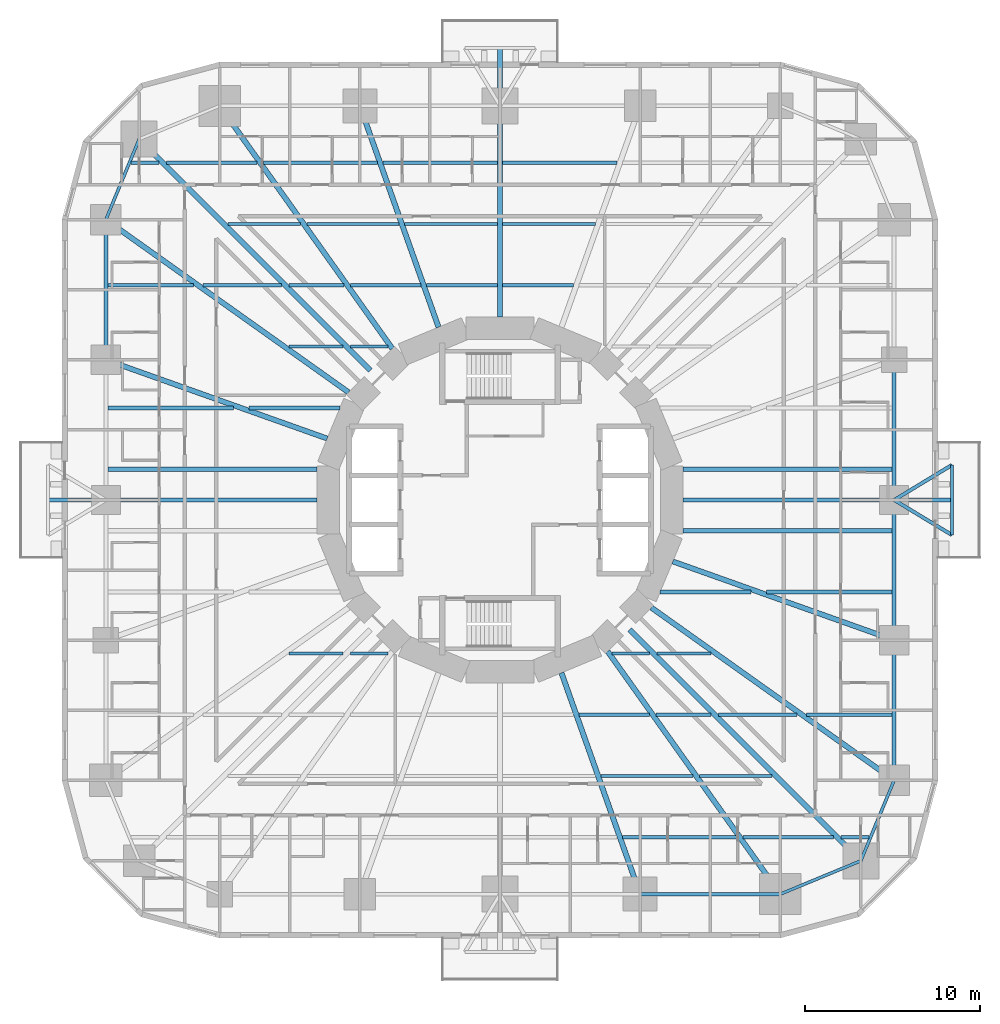
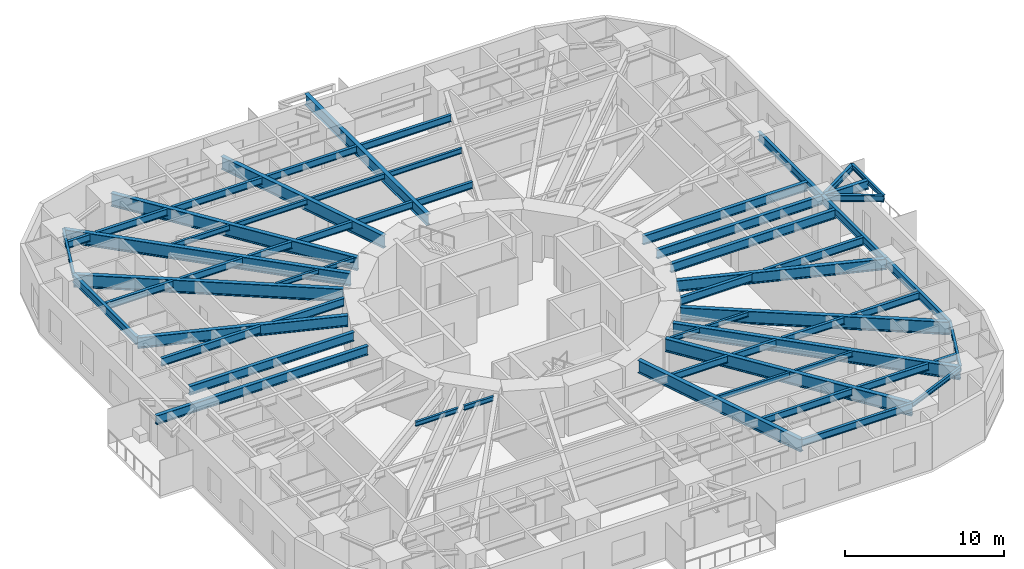
# One storey, part 2 of 14: 61 beams.
"""IFC4 building model written with IfcOpenShell, lengths in metres."""

from ifc_helpers import new_model, si_unit, direction, frame, origin, origin_2d, place, context, subcontext, project, spatial, i_section, extrude, material, material_profile, profile_set, type_object, element, save


model = new_model("IFC4")

# Units and contexts
model_context = context("Model", 3, precision=1e-05, world=origin(), true_north=direction((0.0, 1.0)))
body_context = subcontext(model_context, "Body", "Model", "MODEL_VIEW")
ifc_project = project(units=[si_unit("LENGTHUNIT", "METRE"), si_unit("AREAUNIT", "SQUARE_METRE"), si_unit("VOLUMEUNIT", "CUBIC_METRE"), si_unit("PLANEANGLEUNIT", "RADIAN"), si_unit("MASSUNIT", "GRAM", prefix="KILO")], contexts=[model_context])

# Site, building, storey
site_placement = place(None, origin())
site = spatial("IfcSite", under=ifc_project, at=site_placement, CompositionType="ELEMENT")
building_placement = place(site_placement, origin())
building = spatial("IfcBuilding", under=site, at=building_placement, Name="Nakasero Lantern House", CompositionType="ELEMENT")
storey_placement = place(building_placement, frame((0.0, 0.0, 19.85009765625)))
storey = spatial("IfcBuildingStorey", under=building, at=storey_placement, Name="L04", CompositionType="ELEMENT", Elevation=19.85009765625)

# Beams
ifc_material_1 = material(Name="Steel S355", Category="steel")
ifc_material_profile_1 = material_profile(ifc_material_1, i_section(OverallWidth=0.199462890625, OverallDepth=0.491943359375, WebThickness=0.01806640625, FlangeThickness=0.031982421875, FilletRadius=0.01025390625, at=origin_2d()), Name="UB 457x191x161")
ifc_profile_set_1 = profile_set([ifc_material_profile_1], Name="Steel S355")
beam_type_1 = type_object("IfcBeamType", Name="Balcony splay beam UB 457x191x161", PredefinedType="BEAM", material=ifc_profile_set_1)
for number, where, z_axis, x_axis, name in (
    (1, (22.5, 0.0, 3.40380859375), (0.855201230787, 0.518296107317, 0.0), (-0.518296107317, 0.855201230787, 0.0), "Balcony splay beam L05 B1-C03A"),
    (2, (22.5, 0.0, 3.40380859375), (0.855201230787, -0.518296107317, 0.0), (0.518296107317, 0.855201230787, 0.0), "Balcony splay beam L05 B1-C03B"),
):
    element("IfcBeam", number, at=place(storey_placement, frame(where, z_axis=z_axis, x_axis=x_axis)), inside=storey, type_object=beam_type_1, Name=name, PredefinedType="BEAM", context=body_context, shape_type="SweptSolid", body=[
        extrude(i_section(OverallWidth=0.199462890625, OverallDepth=0.491943359375, WebThickness=0.01806640625, FlangeThickness=0.031982421875, FilletRadius=0.01025390625, at=origin_2d()), origin(), (0.0, 0.0, 1.0), 3.85888671875),
    ])
ifc_material_2 = material(Name="Steel S355", Category="steel")
ifc_material_profile_2 = material_profile(ifc_material_2, i_section(OverallWidth=0.17138671875, OverallDepth=0.35498046875, WebThickness=0.00732421875, FlangeThickness=0.011474609375, FilletRadius=0.01025390625, at=origin_2d()), Name="UB 356x171x51")
ifc_profile_set_2 = profile_set([ifc_material_profile_2], Name="Steel S355")
beam_type_2 = type_object("IfcBeamType", Name="Balcony tie beam UB 356x171x51", PredefinedType="BEAM", material=ifc_profile_set_2)
beam_1_placement = place(storey_placement, frame((25.800048828125, 2.0, 3.472412109375), z_axis=(0.0, -1.0, 0.0), x_axis=(1.0, 0.0, 0.0)))
element("IfcBeam", 3, at=beam_1_placement, inside=storey, type_object=beam_type_2, Name="Balcony tie beam L05 B1-C03", PredefinedType="BEAM", context=body_context, shape_type="SweptSolid", body=[
    extrude(i_section(OverallWidth=0.17138671875, OverallDepth=0.35498046875, WebThickness=0.00732421875, FlangeThickness=0.011474609375, FilletRadius=0.01025390625, at=origin_2d()), origin(), (0.0, 0.0, 1.0), 4.0),
])
ifc_material_3 = material(Name="Steel S355", Category="steel")
ifc_material_profile_3 = material_profile(ifc_material_3, i_section(OverallWidth=0.17138671875, OverallDepth=0.35498046875, WebThickness=0.00732421875, FlangeThickness=0.011474609375, FilletRadius=0.01025390625, at=origin_2d()), Name="UB 356x171x51")
ifc_profile_set_3 = profile_set([ifc_material_profile_3], Name="Steel S355")
beam_type_3 = type_object("IfcBeamType", Name="Infill beam UB 356x171x51", PredefinedType="JOIST", material=ifc_profile_set_3)
beam_2_placement = place(storey_placement, frame((-12.0458984375, -8.75, 3.472412109375), z_axis=(1.0, 0.0, 0.0), x_axis=(0.0, 1.0, 0.0)))
element("IfcBeam", 4, at=beam_2_placement, inside=storey, type_object=beam_type_3, Name="Infill beam L05 05.1", PredefinedType="JOIST", context=body_context, shape_type="SweptSolid", body=[
    extrude(i_section(OverallWidth=0.17138671875, OverallDepth=0.35498046875, WebThickness=0.00732421875, FlangeThickness=0.011474609375, FilletRadius=0.01025390625, at=origin_2d()), origin(), (0.0, 0.0, 1.0), 3.083740234375),
])
for number, where, z_axis, x_axis, name in (
    (5, (-8.537841796875, -8.75, 3.472412109375), (1.0, 0.0, 0.0), (0.0, 1.0, 0.0), "Infill beam L05 05.2"),
    (6, (6.40625, -8.75, 3.472412109375), (1.0, 0.0, 0.0), (0.0, 1.0, 0.0), "Infill beam L05 05.3"),
):
    element("IfcBeam", number, at=place(storey_placement, frame(where, z_axis=z_axis, x_axis=x_axis)), inside=storey, type_object=beam_type_3, Name=name, PredefinedType="JOIST", context=body_context, shape_type="SweptSolid", body=[
        extrude(i_section(OverallWidth=0.17138671875, OverallDepth=0.35498046875, WebThickness=0.00732421875, FlangeThickness=0.011474609375, FilletRadius=0.01025390625, at=origin_2d()), origin(), (0.0, 0.0, 1.0), 2.131591796875),
    ])
for number, where, z_axis, x_axis, name in (
    (7, (8.962158203125, -8.75, 3.472412109375), (1.0, 0.0, 0.0), (0.0, 1.0, 0.0), "Infill beam L05 05.4"),
    (8, (-12.0458984375, 8.75, 3.472412109375), (1.0, 0.0, 0.0), (0.0, 1.0, 0.0), "Infill beam L05 10.1"),
):
    element("IfcBeam", number, at=place(storey_placement, frame(where, z_axis=z_axis, x_axis=x_axis)), inside=storey, type_object=beam_type_3, Name=name, PredefinedType="JOIST", context=body_context, shape_type="SweptSolid", body=[
        extrude(i_section(OverallWidth=0.17138671875, OverallDepth=0.35498046875, WebThickness=0.00732421875, FlangeThickness=0.011474609375, FilletRadius=0.01025390625, at=origin_2d()), origin(), (0.0, 0.0, 1.0), 3.083740234375),
    ])
beam_3_placement = place(storey_placement, frame((-8.537841796875, 8.75, 3.472412109375), z_axis=(1.0, 0.0, 0.0), x_axis=(0.0, 1.0, 0.0)))
element("IfcBeam", 9, at=beam_3_placement, inside=storey, type_object=beam_type_3, Name="Infill beam L05 10.2", PredefinedType="JOIST", context=body_context, shape_type="SweptSolid", body=[
    extrude(i_section(OverallWidth=0.17138671875, OverallDepth=0.35498046875, WebThickness=0.00732421875, FlangeThickness=0.011474609375, FilletRadius=0.01025390625, at=origin_2d()), origin(), (0.0, 0.0, 1.0), 2.131591796875),
])
ifc_material_4 = material(Name="Steel S355", Category="steel")
ifc_material_profile_4 = material_profile(ifc_material_4, i_section(OverallWidth=0.177978515625, OverallDepth=0.406494140625, WebThickness=0.0078125, FlangeThickness=0.0126953125, FilletRadius=0.01025390625, at=origin_2d()), Name="UB 406x178x60")
ifc_profile_set_4 = profile_set([ifc_material_profile_4], Name="Steel S355")
beam_type_4 = type_object("IfcBeamType", Name="Infill beam UB 406x178x60", PredefinedType="JOIST", material=ifc_profile_set_4)
beam_4_placement = place(storey_placement, frame((5.75927734375, -15.75, 3.44677734375), z_axis=(1.0, 0.0, 0.0), x_axis=(0.0, 1.0, 0.0)))
element("IfcBeam", 10, at=beam_4_placement, inside=storey, type_object=beam_type_4, Name="Infill beam L05 03.5", PredefinedType="JOIST", context=body_context, shape_type="SweptSolid", body=[
    extrude(i_section(OverallWidth=0.177978515625, OverallDepth=0.406494140625, WebThickness=0.0078125, FlangeThickness=0.0126953125, FilletRadius=0.01025390625, at=origin_2d()), origin(), (0.0, 0.0, 1.0), 5.256591796875),
])
for number, where, z_axis, x_axis, name in (
    (11, (11.384033203125, -15.75, 3.44677734375), (1.0, 0.0, 0.0), (0.0, 1.0, 0.0), "Infill beam L05 03.6"),
    (12, (-15.537841796875, 15.75, 3.44677734375), (1.0, 0.0, 0.0), (0.0, 1.0, 0.0), "Infill beam L05 12.1"),
):
    element("IfcBeam", number, at=place(storey_placement, frame(where, z_axis=z_axis, x_axis=x_axis)), inside=storey, type_object=beam_type_4, Name=name, PredefinedType="JOIST", context=body_context, shape_type="SweptSolid", body=[
        extrude(i_section(OverallWidth=0.177978515625, OverallDepth=0.406494140625, WebThickness=0.0078125, FlangeThickness=0.0126953125, FilletRadius=0.01025390625, at=origin_2d()), origin(), (0.0, 0.0, 1.0), 4.15380859375),
    ])
beam_5_placement = place(storey_placement, frame((-11.015869140625, 15.75, 3.44677734375), z_axis=(1.0, 0.0, 0.0), x_axis=(0.0, 1.0, 0.0)))
element("IfcBeam", 13, at=beam_5_placement, inside=storey, type_object=beam_type_4, Name="Infill beam L05 12.2", PredefinedType="JOIST", context=body_context, shape_type="SweptSolid", body=[
    extrude(i_section(OverallWidth=0.177978515625, OverallDepth=0.406494140625, WebThickness=0.0078125, FlangeThickness=0.0126953125, FilletRadius=0.01025390625, at=origin_2d()), origin(), (0.0, 0.0, 1.0), 5.256591796875),
])
for number, where, z_axis, x_axis, name in (
    (14, (-5.44091796875, 15.75, 3.44677734375), (1.0, 0.0, 0.0), (0.0, 1.0, 0.0), "Infill beam L05 12.3"),
    (15, (0.146240234375, 15.75, 3.44677734375), (1.0, 0.0, 0.0), (0.0, 1.0, 0.0), "Infill beam L05 12.4"),
):
    element("IfcBeam", number, at=place(storey_placement, frame(where, z_axis=z_axis, x_axis=x_axis)), inside=storey, type_object=beam_type_4, Name=name, PredefinedType="JOIST", context=body_context, shape_type="SweptSolid", body=[
        extrude(i_section(OverallWidth=0.177978515625, OverallDepth=0.406494140625, WebThickness=0.0078125, FlangeThickness=0.0126953125, FilletRadius=0.01025390625, at=origin_2d()), origin(), (0.0, 0.0, 1.0), 5.294677734375),
    ])
ifc_material_5 = material(Name="Steel S355", Category="steel")
ifc_material_profile_5 = material_profile(ifc_material_5, i_section(OverallWidth=0.208740234375, OverallDepth=0.5283203125, WebThickness=0.009521484375, FlangeThickness=0.01318359375, FilletRadius=0.0126953125, at=origin_2d()), Name="UB 533x210x82")
ifc_profile_set_5 = profile_set([ifc_material_profile_5], Name="Steel S355")
beam_type_5 = type_object("IfcBeamType", Name="Infill beam UB 533x210x82", PredefinedType="JOIST", material=ifc_profile_set_5)
beam_6_placement = place(storey_placement, frame((7.003662109375, -19.25, 3.3857421875), z_axis=(1.0, 0.0, 0.0), x_axis=(0.0, 1.0, 0.0)))
element("IfcBeam", 16, at=beam_6_placement, inside=storey, type_object=beam_type_5, Name="Infill beam L05 02.6", PredefinedType="JOIST", context=body_context, shape_type="SweptSolid", body=[
    extrude(i_section(OverallWidth=0.208740234375, OverallDepth=0.5283203125, WebThickness=0.009521484375, FlangeThickness=0.01318359375, FilletRadius=0.0126953125, at=origin_2d()), origin(), (0.0, 0.0, 1.0), 6.501220703125),
])
beam_7_placement = place(storey_placement, frame((13.873046875, -19.25, 3.3857421875), z_axis=(1.0, 0.0, 0.0), x_axis=(0.0, 1.0, 0.0)))
element("IfcBeam", 17, at=beam_7_placement, inside=storey, type_object=beam_type_5, Name="Infill beam L05 02.7", PredefinedType="JOIST", context=body_context, shape_type="SweptSolid", body=[
    extrude(i_section(OverallWidth=0.208740234375, OverallDepth=0.5283203125, WebThickness=0.009521484375, FlangeThickness=0.01318359375, FilletRadius=0.0126953125, at=origin_2d()), origin(), (0.0, 0.0, 1.0), 5.164794921875),
])
beam_8_placement = place(storey_placement, frame((19.462158203125, -19.25, 3.3857421875), z_axis=(1.0, 0.0, 0.0), x_axis=(0.0, 1.0, 0.0)))
element("IfcBeam", 18, at=beam_8_placement, inside=storey, type_object=beam_type_5, Name="Infill beam L05 02.8", PredefinedType="JOIST", context=body_context, shape_type="SweptSolid", body=[
    extrude(i_section(OverallWidth=0.208740234375, OverallDepth=0.5283203125, WebThickness=0.009521484375, FlangeThickness=0.01318359375, FilletRadius=0.0126953125, at=origin_2d()), origin(), (0.0, 0.0, 1.0), 1.598876953125),
])
beam_9_placement = place(storey_placement, frame((4.5146484375, -12.25, 3.3857421875), z_axis=(1.0, 0.0, 0.0), x_axis=(0.0, 1.0, 0.0)))
element("IfcBeam", 19, at=beam_9_placement, inside=storey, type_object=beam_type_5, Name="Infill beam L05 04.7", PredefinedType="JOIST", context=body_context, shape_type="SweptSolid", body=[
    extrude(i_section(OverallWidth=0.208740234375, OverallDepth=0.5283203125, WebThickness=0.009521484375, FlangeThickness=0.01318359375, FilletRadius=0.0126953125, at=origin_2d()), origin(), (0.0, 0.0, 1.0), 4.012451171875),
])
beam_10_placement = place(storey_placement, frame((8.895263671875, -12.25, 3.3857421875), z_axis=(1.0, 0.0, 0.0), x_axis=(0.0, 1.0, 0.0)))
element("IfcBeam", 20, at=beam_10_placement, inside=storey, type_object=beam_type_5, Name="Infill beam L05 04.8", PredefinedType="JOIST", context=body_context, shape_type="SweptSolid", body=[
    extrude(i_section(OverallWidth=0.208740234375, OverallDepth=0.5283203125, WebThickness=0.009521484375, FlangeThickness=0.01318359375, FilletRadius=0.0126953125, at=origin_2d()), origin(), (0.0, 0.0, 1.0), 3.142578125),
])
beam_11_placement = place(storey_placement, frame((12.462158203125, -12.25, 3.3857421875), z_axis=(1.0, 0.0, 0.0), x_axis=(0.0, 1.0, 0.0)))
element("IfcBeam", 21, at=beam_11_placement, inside=storey, type_object=beam_type_5, Name="Infill beam L05 04.9", PredefinedType="JOIST", context=body_context, shape_type="SweptSolid", body=[
    extrude(i_section(OverallWidth=0.208740234375, OverallDepth=0.5283203125, WebThickness=0.009521484375, FlangeThickness=0.01318359375, FilletRadius=0.0126953125, at=origin_2d()), origin(), (0.0, 0.0, 1.0), 4.505615234375),
])
for number, where, z_axis, x_axis, name in (
    (22, (17.4853515625, -12.25, 3.3857421875), (1.0, 0.0, 0.0), (0.0, 1.0, 0.0), "Infill beam L05 04.10"),
    (23, (-22.385498046875, 12.25, 3.3857421875), (1.0, 0.0, 0.0), (0.0, 1.0, 0.0), "Infill beam L05 11.1"),
):
    element("IfcBeam", number, at=place(storey_placement, frame(where, z_axis=z_axis, x_axis=x_axis)), inside=storey, type_object=beam_type_5, Name=name, PredefinedType="JOIST", context=body_context, shape_type="SweptSolid", body=[
        extrude(i_section(OverallWidth=0.208740234375, OverallDepth=0.5283203125, WebThickness=0.009521484375, FlangeThickness=0.01318359375, FilletRadius=0.0126953125, at=origin_2d()), origin(), (0.0, 0.0, 1.0), 4.900146484375),
    ])
beam_12_placement = place(storey_placement, frame((-16.9677734375, 12.25, 3.3857421875), z_axis=(1.0, 0.0, 0.0), x_axis=(0.0, 1.0, 0.0)))
element("IfcBeam", 24, at=beam_12_placement, inside=storey, type_object=beam_type_5, Name="Infill beam L05 11.2", PredefinedType="JOIST", context=body_context, shape_type="SweptSolid", body=[
    extrude(i_section(OverallWidth=0.208740234375, OverallDepth=0.5283203125, WebThickness=0.009521484375, FlangeThickness=0.01318359375, FilletRadius=0.0126953125, at=origin_2d()), origin(), (0.0, 0.0, 1.0), 4.505615234375),
])
beam_13_placement = place(storey_placement, frame((-12.037841796875, 12.25, 3.3857421875), z_axis=(1.0, 0.0, 0.0), x_axis=(0.0, 1.0, 0.0)))
element("IfcBeam", 25, at=beam_13_placement, inside=storey, type_object=beam_type_5, Name="Infill beam L05 11.3", PredefinedType="JOIST", context=body_context, shape_type="SweptSolid", body=[
    extrude(i_section(OverallWidth=0.208740234375, OverallDepth=0.5283203125, WebThickness=0.009521484375, FlangeThickness=0.01318359375, FilletRadius=0.0126953125, at=origin_2d()), origin(), (0.0, 0.0, 1.0), 3.142578125),
])
beam_14_placement = place(storey_placement, frame((-8.527099609375, 12.25, 3.3857421875), z_axis=(1.0, 0.0, 0.0), x_axis=(0.0, 1.0, 0.0)))
element("IfcBeam", 26, at=beam_14_placement, inside=storey, type_object=beam_type_5, Name="Infill beam L05 11.4", PredefinedType="JOIST", context=body_context, shape_type="SweptSolid", body=[
    extrude(i_section(OverallWidth=0.208740234375, OverallDepth=0.5283203125, WebThickness=0.009521484375, FlangeThickness=0.01318359375, FilletRadius=0.0126953125, at=origin_2d()), origin(), (0.0, 0.0, 1.0), 4.012451171875),
])
for number, where, z_axis, x_axis, name in (
    (27, (-4.1962890625, 12.25, 3.3857421875), (1.0, 0.0, 0.0), (0.0, 1.0, 0.0), "Infill beam L05 11.5"),
    (28, (0.146240234375, 12.25, 3.3857421875), (1.0, 0.0, 0.0), (0.0, 1.0, 0.0), "Infill beam L05 11.6"),
):
    element("IfcBeam", number, at=place(storey_placement, frame(where, z_axis=z_axis, x_axis=x_axis)), inside=storey, type_object=beam_type_5, Name=name, PredefinedType="JOIST", context=body_context, shape_type="SweptSolid", body=[
        extrude(i_section(OverallWidth=0.208740234375, OverallDepth=0.5283203125, WebThickness=0.009521484375, FlangeThickness=0.01318359375, FilletRadius=0.0126953125, at=origin_2d()), origin(), (0.0, 0.0, 1.0), 4.050048828125),
    ])
beam_15_placement = place(storey_placement, frame((-21.06103515625, 19.25, 3.3857421875), z_axis=(1.0, 0.0, 0.0), x_axis=(0.0, 1.0, 0.0)))
element("IfcBeam", 29, at=beam_15_placement, inside=storey, type_object=beam_type_5, Name="Infill beam L05 13.1", PredefinedType="JOIST", context=body_context, shape_type="SweptSolid", body=[
    extrude(i_section(OverallWidth=0.208740234375, OverallDepth=0.5283203125, WebThickness=0.009521484375, FlangeThickness=0.01318359375, FilletRadius=0.0126953125, at=origin_2d()), origin(), (0.0, 0.0, 1.0), 1.598876953125),
])
beam_16_placement = place(storey_placement, frame((-19.037841796875, 19.25, 3.3857421875), z_axis=(1.0, 0.0, 0.0), x_axis=(0.0, 1.0, 0.0)))
element("IfcBeam", 30, at=beam_16_placement, inside=storey, type_object=beam_type_5, Name="Infill beam L05 13.2", PredefinedType="JOIST", context=body_context, shape_type="SweptSolid", body=[
    extrude(i_section(OverallWidth=0.208740234375, OverallDepth=0.5283203125, WebThickness=0.009521484375, FlangeThickness=0.01318359375, FilletRadius=0.0126953125, at=origin_2d()), origin(), (0.0, 0.0, 1.0), 5.164794921875),
])
beam_17_placement = place(storey_placement, frame((-13.5048828125, 19.25, 3.3857421875), z_axis=(1.0, 0.0, 0.0), x_axis=(0.0, 1.0, 0.0)))
element("IfcBeam", 31, at=beam_17_placement, inside=storey, type_object=beam_type_5, Name="Infill beam L05 13.3", PredefinedType="JOIST", context=body_context, shape_type="SweptSolid", body=[
    extrude(i_section(OverallWidth=0.208740234375, OverallDepth=0.5283203125, WebThickness=0.009521484375, FlangeThickness=0.01318359375, FilletRadius=0.0126953125, at=origin_2d()), origin(), (0.0, 0.0, 1.0), 6.501220703125),
])
for number, where, z_axis, x_axis, name in (
    (32, (-6.685302734375, 19.25, 3.3857421875), (1.0, 0.0, 0.0), (0.0, 1.0, 0.0), "Infill beam L05 13.4"),
    (33, (0.146240234375, 19.25, 3.3857421875), (1.0, 0.0, 0.0), (0.0, 1.0, 0.0), "Infill beam L05 13.5"),
):
    element("IfcBeam", number, at=place(storey_placement, frame(where, z_axis=z_axis, x_axis=x_axis)), inside=storey, type_object=beam_type_5, Name=name, PredefinedType="JOIST", context=body_context, shape_type="SweptSolid", body=[
        extrude(i_section(OverallWidth=0.208740234375, OverallDepth=0.5283203125, WebThickness=0.009521484375, FlangeThickness=0.01318359375, FilletRadius=0.0126953125, at=origin_2d()), origin(), (0.0, 0.0, 1.0), 6.5390625),
    ])
ifc_material_6 = material(Name="Steel S355", Category="steel")
ifc_material_profile_6 = material_profile(ifc_material_6, i_section(OverallWidth=0.2275390625, OverallDepth=0.6025390625, WebThickness=0.010498046875, FlangeThickness=0.014892578125, FilletRadius=0.0126953125, at=origin_2d()), Name="UB 610x229x101")
ifc_profile_set_6 = profile_set([ifc_material_profile_6], Name="Steel S355")
beam_type_6 = type_object("IfcBeamType", Name="Infill beam UB 610x229x101", PredefinedType="JOIST", material=ifc_profile_set_6)
beam_18_placement = place(storey_placement, frame((9.144775390625, -5.25, 3.3486328125), z_axis=(1.0, 0.0, 0.0), x_axis=(0.0, 1.0, 0.0)))
element("IfcBeam", 34, at=beam_18_placement, inside=storey, type_object=beam_type_6, Name="Infill beam L05 06.3", PredefinedType="JOIST", context=body_context, shape_type="SweptSolid", body=[
    extrude(i_section(OverallWidth=0.2275390625, OverallDepth=0.6025390625, WebThickness=0.010498046875, FlangeThickness=0.014892578125, FilletRadius=0.0126953125, at=origin_2d()), origin(), (0.0, 0.0, 1.0), 5.184326171875),
])
for number, where, z_axis, x_axis, name in (
    (35, (15.2021484375, -5.25, 3.3486328125), (1.0, 0.0, 0.0), (0.0, 1.0, 0.0), "Infill beam L05 06.4"),
    (36, (-22.385498046875, 5.25, 3.3486328125), (1.0, 0.0, 0.0), (0.0, 1.0, 0.0), "Infill beam L05 09.1"),
):
    element("IfcBeam", number, at=place(storey_placement, frame(where, z_axis=z_axis, x_axis=x_axis)), inside=storey, type_object=beam_type_6, Name=name, PredefinedType="JOIST", context=body_context, shape_type="SweptSolid", body=[
        extrude(i_section(OverallWidth=0.2275390625, OverallDepth=0.6025390625, WebThickness=0.010498046875, FlangeThickness=0.014892578125, FilletRadius=0.0126953125, at=origin_2d()), origin(), (0.0, 0.0, 1.0), 7.183349609375),
    ])
beam_19_placement = place(storey_placement, frame((-14.3291015625, 5.25, 3.3486328125), z_axis=(1.0, 0.0, 0.0), x_axis=(0.0, 1.0, 0.0)))
element("IfcBeam", 37, at=beam_19_placement, inside=storey, type_object=beam_type_6, Name="Infill beam L05 09.2", PredefinedType="JOIST", context=body_context, shape_type="SweptSolid", body=[
    extrude(i_section(OverallWidth=0.2275390625, OverallDepth=0.6025390625, WebThickness=0.010498046875, FlangeThickness=0.014892578125, FilletRadius=0.0126953125, at=origin_2d()), origin(), (0.0, 0.0, 1.0), 5.184326171875),
])
ifc_material_7 = material(Name="Steel S355", Category="steel")
ifc_material_profile_7 = material_profile(ifc_material_7, i_section(OverallWidth=0.253662109375, OverallDepth=0.68359375, WebThickness=0.012451171875, FlangeThickness=0.01904296875, FilletRadius=0.01513671875, at=origin_2d()), Name="UB 686x254x140")
ifc_profile_set_7 = profile_set([ifc_material_profile_7], Name="Steel S355")
beam_type_7 = type_object("IfcBeamType", Name="Infill beam UB 686x254x140", PredefinedType="JOIST", material=ifc_profile_set_7)
for number, where, z_axis, x_axis, name in (
    (38, (10.457763671875, -1.75, 3.30810546875), (1.0, 0.0, 0.0), (0.0, 1.0, 0.0), "Infill beam L05 07.2"),
    (39, (-22.385498046875, 1.75, 3.30810546875), (1.0, 0.0, 0.0), (0.0, 1.0, 0.0), "Infill beam L05 08.1"),
    (40, (10.457763671875, 1.75, 3.30810546875), (1.0, 0.0, 0.0), (0.0, 1.0, 0.0), "Infill beam L05 08.2"),
):
    element("IfcBeam", number, at=place(storey_placement, frame(where, z_axis=z_axis, x_axis=x_axis)), inside=storey, type_object=beam_type_7, Name=name, PredefinedType="JOIST", context=body_context, shape_type="SweptSolid", body=[
        extrude(i_section(OverallWidth=0.253662109375, OverallDepth=0.68359375, WebThickness=0.012451171875, FlangeThickness=0.01904296875, FilletRadius=0.01513671875, at=origin_2d()), origin(), (0.0, 0.0, 1.0), 11.927734375),
    ])
ifc_material_8 = material(Name="Steel S355", Category="steel")
ifc_material_profile_8 = material_profile(ifc_material_8, i_section(OverallWidth=0.300048828125, OverallDepth=0.97021484375, WebThickness=0.01611328125, FlangeThickness=0.02099609375, FilletRadius=0.030029296875, at=origin_2d()), Name="UB 1016x305x222")
ifc_profile_set_8 = profile_set([ifc_material_profile_8], Name="Steel S355")
beam_type_8 = type_object("IfcBeamType", Name="Primary beam UB 1016x305x222, span 12 to 15 m", PredefinedType="BEAM", material=ifc_profile_set_8)
for number, where, z_axis, x_axis, name in (
    (41, (-8.0, 22.5, 3.164794921875), (0.335010745293, -0.942214307118, 0.0), (0.942214307118, 0.335010745293, 0.0), "Primary beam L05 B1-C10"),
    (42, (8.0, -22.5, 3.164794921875), (-0.335010745293, 0.942214307118, 0.0), (-0.942214307118, -0.335010745293, 0.0), "Primary beam L05 B1-C22"),
):
    element("IfcBeam", number, at=place(storey_placement, frame(where, z_axis=z_axis, x_axis=x_axis)), inside=storey, type_object=beam_type_8, Name=name, PredefinedType="BEAM", context=body_context, shape_type="SweptSolid", body=[
        extrude(i_section(OverallWidth=0.300048828125, OverallDepth=0.97021484375, WebThickness=0.01611328125, FlangeThickness=0.02099609375, FilletRadius=0.030029296875, at=origin_2d()), origin(), (0.0, 0.0, 1.0), 13.408447265625),
    ])
ifc_material_9 = material(Name="Steel S355", Category="steel")
ifc_material_profile_9 = material_profile(ifc_material_9, i_section(OverallWidth=0.300048828125, OverallDepth=0.989990234375, WebThickness=0.0166015625, FlangeThickness=0.031005859375, FilletRadius=0.030029296875, at=origin_2d()), Name="UB 1016x305x272")
ifc_profile_set_9 = profile_set([ifc_material_profile_9], Name="Steel S355")
beam_type_9 = type_object("IfcBeamType", Name="Primary beam UB 1016x305x272, span over 15 m", PredefinedType="BEAM", material=ifc_profile_set_9)
beam_20_placement = place(storey_placement, frame((22.5, -16.0, 3.15478515625), z_axis=(-0.814952159915, 0.579528236629, 0.0), x_axis=(-0.579528236629, -0.814952159915, 0.0)))
element("IfcBeam", 43, at=beam_20_placement, inside=storey, type_object=beam_type_9, Name="Primary beam L05 B1-C01", PredefinedType="BEAM", context=body_context, shape_type="SweptSolid", body=[
    extrude(i_section(OverallWidth=0.300048828125, OverallDepth=0.989990234375, WebThickness=0.0166015625, FlangeThickness=0.031005859375, FilletRadius=0.030029296875, at=origin_2d()), origin(), (0.0, 0.0, 1.0), 17.003173828125),
])
beam_21_placement = place(storey_placement, frame((-20.59619140625, 20.59619140625, 3.15478515625), z_axis=(0.707106781187, -0.707106781187, 0.0), x_axis=(0.707106781187, 0.707106781187, 0.0)))
element("IfcBeam", 44, at=beam_21_placement, inside=storey, type_object=beam_type_9, Name="Primary beam L05 B1-C12", PredefinedType="BEAM", context=body_context, shape_type="SweptSolid", body=[
    extrude(i_section(OverallWidth=0.300048828125, OverallDepth=0.989990234375, WebThickness=0.0166015625, FlangeThickness=0.031005859375, FilletRadius=0.030029296875, at=origin_2d()), origin(), (0.0, 0.0, 1.0), 18.669677734375),
])
beam_22_placement = place(storey_placement, frame((-22.5, 16.0, 3.15478515625), z_axis=(0.814952159915, -0.579528236629, 0.0), x_axis=(0.579528236629, 0.814952159915, 0.0)))
element("IfcBeam", 45, at=beam_22_placement, inside=storey, type_object=beam_type_9, Name="Primary beam L05 B1-C13", PredefinedType="BEAM", context=body_context, shape_type="SweptSolid", body=[
    extrude(i_section(OverallWidth=0.300048828125, OverallDepth=0.989990234375, WebThickness=0.0166015625, FlangeThickness=0.031005859375, FilletRadius=0.030029296875, at=origin_2d()), origin(), (0.0, 0.0, 1.0), 17.003173828125),
])
beam_23_placement = place(storey_placement, frame((20.59619140625, -20.59619140625, 3.15478515625), z_axis=(-0.707106781187, 0.707106781187, 0.0), x_axis=(-0.707106781187, -0.707106781187, 0.0)))
element("IfcBeam", 46, at=beam_23_placement, inside=storey, type_object=beam_type_9, Name="Primary beam L05 B1-C24", PredefinedType="BEAM", context=body_context, shape_type="SweptSolid", body=[
    extrude(i_section(OverallWidth=0.300048828125, OverallDepth=0.989990234375, WebThickness=0.0166015625, FlangeThickness=0.031005859375, FilletRadius=0.030029296875, at=origin_2d()), origin(), (0.0, 0.0, 1.0), 18.669677734375),
])
ifc_material_10 = material(Name="Steel S355", Category="steel")
ifc_material_profile_10 = material_profile(ifc_material_10, i_section(OverallWidth=0.300048828125, OverallDepth=1.0, WebThickness=0.01904296875, FlangeThickness=0.035888671875, FilletRadius=0.030029296875, at=origin_2d()), Name="UB 1016x305x314")
ifc_profile_set_10 = profile_set([ifc_material_profile_10], Name="Steel S355")
beam_type_10 = type_object("IfcBeamType", Name="Primary beam UB 1016x305x314, span over 15 m", PredefinedType="BEAM", material=ifc_profile_set_10)
for number, where, z_axis, x_axis, name in (
    (47, (-16.0, 22.5, 3.14990234375), (0.579528236629, -0.814952159915, 0.0), (0.814952159915, 0.579528236629, 0.0), "Primary beam L05 B1-C11"),
    (48, (16.0, -22.5, 3.14990234375), (-0.579528236629, 0.814952159915, 0.0), (-0.814952159915, -0.579528236629, 0.0), "Primary beam L05 B1-C23"),
):
    element("IfcBeam", number, at=place(storey_placement, frame(where, z_axis=z_axis, x_axis=x_axis)), inside=storey, type_object=beam_type_10, Name=name, PredefinedType="BEAM", context=body_context, shape_type="SweptSolid", body=[
        extrude(i_section(OverallWidth=0.300048828125, OverallDepth=1.0, WebThickness=0.01904296875, FlangeThickness=0.035888671875, FilletRadius=0.030029296875, at=origin_2d()), origin(), (0.0, 0.0, 1.0), 17.003173828125),
    ])
ifc_material_11 = material(Name="Steel S355", Category="steel")
ifc_material_profile_11 = material_profile(ifc_material_11, i_section(OverallWidth=0.255859375, OverallDepth=0.69287109375, WebThickness=0.014404296875, FlangeThickness=0.023681640625, FilletRadius=0.01513671875, at=origin_2d()), Name="UB 686x254x170")
ifc_profile_set_11 = profile_set([ifc_material_profile_11], Name="Steel S355")
beam_type_11 = type_object("IfcBeamType", Name="Primary beam UB 686x254x170, span 12 to 15 m", PredefinedType="BEAM", material=ifc_profile_set_11)
for number, where, z_axis, x_axis, name in (
    (49, (25.800048828125, 0.0, 3.303466796875), (-1.0, 0.0, 0.0), (0.0, -1.0, 0.0), "Primary beam L05 B1-C03"),
    (50, (-25.800048828125, 0.0, 3.303466796875), (1.0, 0.0, 0.0), (0.0, 1.0, 0.0), "Primary beam L05 B1-C15"),
):
    element("IfcBeam", number, at=place(storey_placement, frame(where, z_axis=z_axis, x_axis=x_axis)), inside=storey, type_object=beam_type_11, Name=name, PredefinedType="BEAM", context=body_context, shape_type="SweptSolid", body=[
        extrude(i_section(OverallWidth=0.255859375, OverallDepth=0.69287109375, WebThickness=0.014404296875, FlangeThickness=0.023681640625, FilletRadius=0.01513671875, at=origin_2d()), origin(), (0.0, 0.0, 1.0), 15.34228515625),
    ])
ifc_material_12 = material(Name="Steel S355", Category="steel")
ifc_material_profile_12 = material_profile(ifc_material_12, i_section(OverallWidth=0.29248046875, OverallDepth=0.8408203125, WebThickness=0.0146484375, FlangeThickness=0.02685546875, FilletRadius=0.017822265625, at=origin_2d()), Name="UB 838x292x194")
ifc_profile_set_12 = profile_set([ifc_material_profile_12], Name="Steel S355")
beam_type_12 = type_object("IfcBeamType", Name="Primary beam UB 838x292x194, span 12 to 15 m", PredefinedType="BEAM", material=ifc_profile_set_12)
beam_24_placement = place(storey_placement, frame((22.5, -8.0, 3.2294921875), z_axis=(-0.942214307118, 0.335010745293, 0.0), x_axis=(-0.335010745293, -0.942214307118, 0.0)))
element("IfcBeam", 51, at=beam_24_placement, inside=storey, type_object=beam_type_12, Name="Primary beam L05 B1-C02", PredefinedType="BEAM", context=body_context, shape_type="SweptSolid", body=[
    extrude(i_section(OverallWidth=0.29248046875, OverallDepth=0.8408203125, WebThickness=0.0146484375, FlangeThickness=0.02685546875, FilletRadius=0.017822265625, at=origin_2d()), origin(), (0.0, 0.0, 1.0), 13.408447265625),
])
beam_25_placement = place(storey_placement, frame((0.0, 25.800048828125, 3.2294921875), z_axis=(0.0, -1.0, 0.0), x_axis=(1.0, 0.0, 0.0)))
element("IfcBeam", 52, at=beam_25_placement, inside=storey, type_object=beam_type_12, Name="Primary beam L05 B1-C09", PredefinedType="BEAM", context=body_context, shape_type="SweptSolid", body=[
    extrude(i_section(OverallWidth=0.29248046875, OverallDepth=0.8408203125, WebThickness=0.0146484375, FlangeThickness=0.02685546875, FilletRadius=0.017822265625, at=origin_2d()), origin(), (0.0, 0.0, 1.0), 15.34228515625),
])
beam_26_placement = place(storey_placement, frame((-22.5, 8.0, 3.2294921875), z_axis=(0.942214307118, -0.335010745293, 0.0), x_axis=(0.335010745293, 0.942214307118, 0.0)))
element("IfcBeam", 53, at=beam_26_placement, inside=storey, type_object=beam_type_12, Name="Primary beam L05 B1-C14", PredefinedType="BEAM", context=body_context, shape_type="SweptSolid", body=[
    extrude(i_section(OverallWidth=0.29248046875, OverallDepth=0.8408203125, WebThickness=0.0146484375, FlangeThickness=0.02685546875, FilletRadius=0.017822265625, at=origin_2d()), origin(), (0.0, 0.0, 1.0), 13.408447265625),
])
ifc_material_13 = material(Name="Steel S355", Category="steel")
ifc_material_profile_13 = material_profile(ifc_material_13, i_section(OverallWidth=0.17138671875, OverallDepth=0.35498046875, WebThickness=0.00732421875, FlangeThickness=0.011474609375, FilletRadius=0.01025390625, at=origin_2d()), Name="UB 356x171x51")
ifc_profile_set_13 = profile_set([ifc_material_profile_13], Name="Steel S355")
beam_type_13 = type_object("IfcBeamType", Name="Ring beam UB 356x171x51", PredefinedType="BEAM", material=ifc_profile_set_13)
for number, where, z_axis, x_axis, name in (
    (54, (-20.59619140625, 20.59619140625, 3.472412109375), (-0.382684080569, -0.923879264016, 0.0), (0.923879264016, -0.382684080569, 0.0), "Ring beam L05 B1-C12"),
    (55, (16.0, -22.5, 3.472412109375), (0.923879264016, 0.382684080569, 0.0), (-0.382684080569, 0.923879264016, 0.0), "Ring beam L05 B1-C23"),
    (56, (20.59619140625, -20.59619140625, 3.472412109375), (0.382684080569, 0.923879264016, 0.0), (-0.923879264016, 0.382684080569, 0.0), "Ring beam L05 B1-C24"),
):
    element("IfcBeam", number, at=place(storey_placement, frame(where, z_axis=z_axis, x_axis=x_axis)), inside=storey, type_object=beam_type_13, Name=name, PredefinedType="BEAM", context=body_context, shape_type="SweptSolid", body=[
        extrude(i_section(OverallWidth=0.17138671875, OverallDepth=0.35498046875, WebThickness=0.00732421875, FlangeThickness=0.011474609375, FilletRadius=0.01025390625, at=origin_2d()), origin(), (0.0, 0.0, 1.0), 4.974853515625),
    ])
ifc_material_14 = material(Name="Steel S355", Category="steel")
ifc_material_profile_14 = material_profile(ifc_material_14, i_section(OverallWidth=0.2099609375, OverallDepth=0.53662109375, WebThickness=0.0107421875, FlangeThickness=0.017333984375, FilletRadius=0.0126953125, at=origin_2d()), Name="UB 533x210x101")
ifc_profile_set_14 = profile_set([ifc_material_profile_14], Name="Steel S355")
beam_type_14 = type_object("IfcBeamType", Name="Ring beam UB 533x210x101", PredefinedType="BEAM", material=ifc_profile_set_14)
beam_27_placement = place(storey_placement, frame((8.0, -22.5, 3.381591796875), z_axis=(1.0, 0.0, 0.0), x_axis=(0.0, 1.0, 0.0)))
element("IfcBeam", 57, at=beam_27_placement, inside=storey, type_object=beam_type_14, Name="Ring beam L05 B1-C22", PredefinedType="BEAM", context=body_context, shape_type="SweptSolid", body=[
    extrude(i_section(OverallWidth=0.2099609375, OverallDepth=0.53662109375, WebThickness=0.0107421875, FlangeThickness=0.017333984375, FilletRadius=0.0126953125, at=origin_2d()), origin(), (0.0, 0.0, 1.0), 8.0),
])
ifc_material_15 = material(Name="Steel S355", Category="steel")
ifc_material_profile_15 = material_profile(ifc_material_15, i_section(OverallWidth=0.22900390625, OverallDepth=0.6123046875, WebThickness=0.011962890625, FlangeThickness=0.01953125, FilletRadius=0.0126953125, at=origin_2d()), Name="UB 610x229x125")
ifc_profile_set_15 = profile_set([ifc_material_profile_15], Name="Steel S355")
beam_type_15 = type_object("IfcBeamType", Name="Ring beam UB 610x229x125", PredefinedType="BEAM", material=ifc_profile_set_15)
for number, where, z_axis, x_axis, name in (
    (58, (22.5, -16.0, 3.34375), (0.0, 1.0, 0.0), (-1.0, 0.0, 0.0), "Ring beam L05 B1-C01"),
    (59, (22.5, -8.0, 3.34375), (0.0, 1.0, 0.0), (-1.0, 0.0, 0.0), "Ring beam L05 B1-C02"),
    (60, (22.5, 0.0, 3.34375), (0.0, 1.0, 0.0), (-1.0, 0.0, 0.0), "Ring beam L05 B1-C03"),
    (61, (-22.5, 16.0, 3.34375), (0.0, -1.0, 0.0), (1.0, 0.0, 0.0), "Ring beam L05 B1-C13"),
):
    element("IfcBeam", number, at=place(storey_placement, frame(where, z_axis=z_axis, x_axis=x_axis)), inside=storey, type_object=beam_type_15, Name=name, PredefinedType="BEAM", context=body_context, shape_type="SweptSolid", body=[
        extrude(i_section(OverallWidth=0.22900390625, OverallDepth=0.6123046875, WebThickness=0.011962890625, FlangeThickness=0.01953125, FilletRadius=0.0126953125, at=origin_2d()), origin(), (0.0, 0.0, 1.0), 8.0),
    ])

save(model, "model.ifc")
